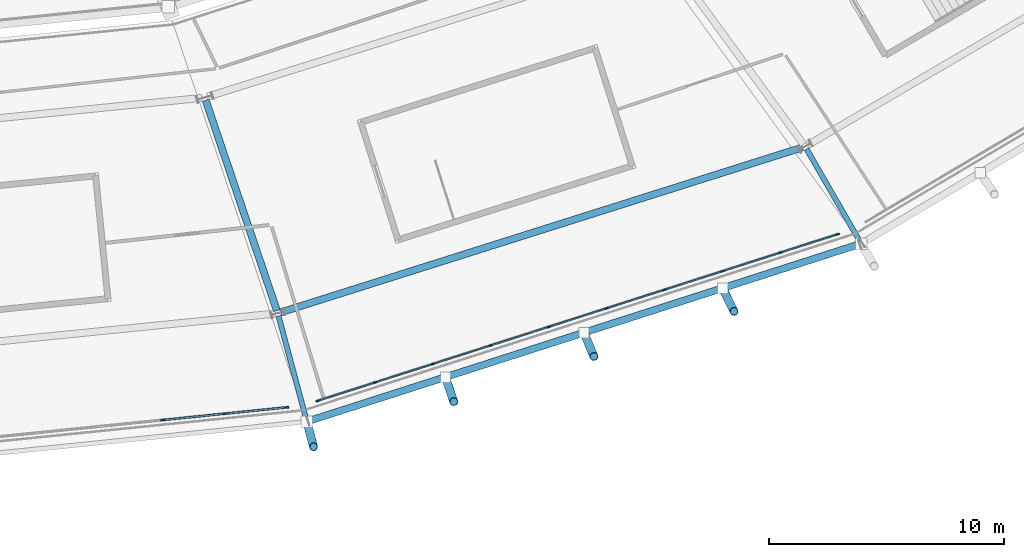
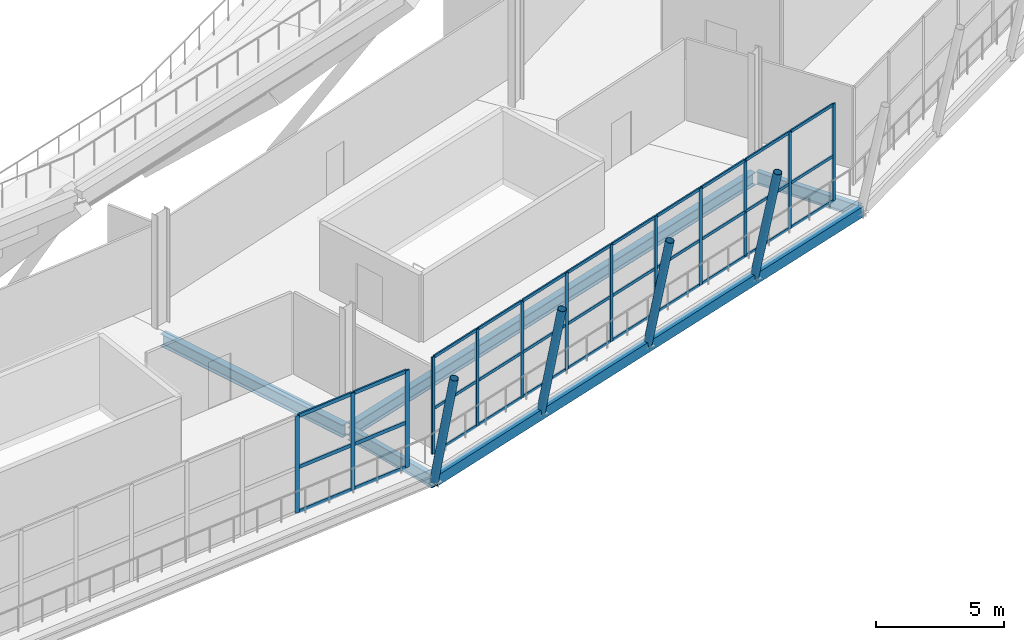
# One storey, part 35 of 126: 50 members, 5 beams, 2 elements without a shape of their own.
"""IFC4 building model written with IfcOpenShell, lengths in metres."""

from ifc_helpers import new_model, si_unit, direction, frame, origin, origin_2d, place, context, subcontext, project, spatial, rectangle, hollow_rectangle, hollow_circle, i_section, extrude, material, material_profile, profile_set, type_object, element, aggregate, save


model = new_model("IFC4")

# Units and contexts
model_context = context("Model", 3, precision=1e-05, world=origin(), true_north=direction((0.0, 1.0)))
body_context = subcontext(model_context, "Body", "Model", "MODEL_VIEW")
ifc_project = project(units=[si_unit("LENGTHUNIT", "METRE"), si_unit("AREAUNIT", "SQUARE_METRE"), si_unit("VOLUMEUNIT", "CUBIC_METRE"), si_unit("PLANEANGLEUNIT", "RADIAN"), si_unit("MASSUNIT", "GRAM", prefix="KILO")], contexts=[model_context])

# Site, building, storey
site_placement = place(None, origin())
site = spatial("IfcSite", under=ifc_project, at=site_placement, CompositionType="ELEMENT")
building_placement = place(site_placement, origin())
building = spatial("IfcBuilding", under=site, at=building_placement, Name="Zlatoyarsky Gate Stadium", CompositionType="ELEMENT")
storey_placement = place(building_placement, frame((0.0, 0.0, 20.800048828125)))
storey = spatial("IfcBuildingStorey", under=building, at=storey_placement, Name="L04", CompositionType="ELEMENT", Elevation=20.800048828125)

# Curtain wall, members
ifc_material_1 = material(Name="Thermally broken anodised aluminium curtain wall", Category="aluminium")
curtain_wall_type_1 = type_object("IfcCurtainWallType", Name="MONUMENTAL ARCHED GATE GLAZING LOWER", PredefinedType="USERDEFINED", material=ifc_material_1)
curtain_wall_1_placement = place(storey_placement, origin())
curtain_wall_1 = element("IfcCurtainWall", 1, at=curtain_wall_1_placement, inside=storey, type_object=curtain_wall_type_1, Name="Curtain wall CW-L04-18", ObjectType="ARCHED GATE GLAZING", PredefinedType="USERDEFINED")
ifc_material_2 = material(Name="Anodised aluminium 6063-T6", Category="aluminium")
ifc_material_profile_1 = material_profile(ifc_material_2, rectangle(XDim=0.074951171875, YDim=0.18994140625, at=origin_2d()), Name="ALU 75X190")
ifc_profile_set_1 = profile_set([ifc_material_profile_1], Name="Anodised aluminium 6063-T6")
member_type_1 = type_object("IfcMemberType", Name="ALUMINIUM GATE MULLION 75X190", PredefinedType="MULLION", material=ifc_profile_set_1)
member_1_placement = place(storey_placement, frame((130.18115234375, 6.88330078125, 0.0), z_axis=(0.0, 0.0, 1.0), x_axis=(-0.10129293102, 0.994856644007, 0.0)))
member_1 = element("IfcMember", 2, at=member_1_placement, type_object=member_type_1, Name="CW-AG1 mullion 8", PredefinedType="MULLION", context=body_context, shape_type="SweptSolid", body=[
    extrude(rectangle(XDim=0.074951171875, YDim=0.18994140625, at=origin_2d()), origin(), (0.0, 0.0, 1.0), 4.619873046875),
])
member_2_placement = place(storey_placement, frame((132.8291015625, 7.15283203125, 0.0), z_axis=(0.0, 0.0, 1.0), x_axis=(-0.10129293102, 0.994856644007, 0.0)))
member_2 = element("IfcMember", 3, at=member_2_placement, type_object=member_type_1, Name="CW-AG1 mullion 9", PredefinedType="MULLION", context=body_context, shape_type="SweptSolid", body=[
    extrude(rectangle(XDim=0.074951171875, YDim=0.18994140625, at=origin_2d()), origin(), (0.0, 0.0, 1.0), 4.619873046875),
])
member_3_placement = place(storey_placement, frame((135.439453125, 7.418701171875, 0.0), z_axis=(0.0, 0.0, 1.0), x_axis=(-0.10129293102, 0.994856644007, 0.0)))
member_3 = element("IfcMember", 4, at=member_3_placement, type_object=member_type_1, Name="CW-AG1 mullion 10", PredefinedType="MULLION", context=body_context, shape_type="SweptSolid", body=[
    extrude(rectangle(XDim=0.074951171875, YDim=0.18994140625, at=origin_2d()), origin(), (0.0, 0.0, 1.0), 4.619873046875),
])
ifc_material_profile_2 = material_profile(ifc_material_2, rectangle(XDim=0.074951171875, YDim=0.169921875, at=origin_2d()), Name="ALU 75X170")
ifc_profile_set_2 = profile_set([ifc_material_profile_2], Name="Anodised aluminium 6063-T6")
member_type_2 = type_object("IfcMemberType", Name="ALUMINIUM GATE TRANSOM 75X170", PredefinedType="USERDEFINED", material=ifc_profile_set_2)
member_4_placement = place(storey_placement, frame((130.218505859375, 6.88720703125, 0.037353515625), z_axis=(0.994858042808, 0.101279191644, 0.0), x_axis=(-0.101279191644, 0.994858042808, 0.0)))
member_4 = element("IfcMember", 5, at=member_4_placement, type_object=member_type_2, Name="CW-AG1 transom 8.1", ObjectType="TRANSOM", PredefinedType="USERDEFINED", context=body_context, shape_type="SweptSolid", body=[
    extrude(rectangle(XDim=0.074951171875, YDim=0.169921875, at=origin_2d()), origin(), (0.0, 0.0, 1.0), 2.58642578125),
])
member_5_placement = place(storey_placement, frame((130.218505859375, 6.88720703125, 2.14990234375), z_axis=(0.994858042808, 0.101279191644, 0.0), x_axis=(-0.101279191644, 0.994858042808, 0.0)))
member_5 = element("IfcMember", 6, at=member_5_placement, type_object=member_type_2, Name="CW-AG1 transom 8.2", ObjectType="TRANSOM", PredefinedType="USERDEFINED", context=body_context, shape_type="SweptSolid", body=[
    extrude(rectangle(XDim=0.074951171875, YDim=0.169921875, at=origin_2d()), origin(), (0.0, 0.0, 1.0), 2.58642578125),
])
member_6_placement = place(storey_placement, frame((130.218505859375, 6.88720703125, 4.58251953125), z_axis=(0.994858042808, 0.101279191644, 0.0), x_axis=(-0.101279191644, 0.994858042808, 0.0)))
member_6 = element("IfcMember", 7, at=member_6_placement, type_object=member_type_2, Name="CW-AG1 transom 8.3", ObjectType="TRANSOM", PredefinedType="USERDEFINED", context=body_context, shape_type="SweptSolid", body=[
    extrude(rectangle(XDim=0.074951171875, YDim=0.169921875, at=origin_2d()), origin(), (0.0, 0.0, 1.0), 2.58642578125),
])
member_7_placement = place(storey_placement, frame((132.8662109375, 7.15673828125, 0.037353515625), z_axis=(0.994862135716, 0.101238979248, 0.0), x_axis=(-0.101238979248, 0.994862135716, 0.0)))
member_7 = element("IfcMember", 8, at=member_7_placement, type_object=member_type_2, Name="CW-AG1 transom 9.1", ObjectType="TRANSOM", PredefinedType="USERDEFINED", context=body_context, shape_type="SweptSolid", body=[
    extrude(rectangle(XDim=0.074951171875, YDim=0.169921875, at=origin_2d()), origin(), (0.0, 0.0, 1.0), 2.549072265625),
])
member_8_placement = place(storey_placement, frame((132.8662109375, 7.15673828125, 2.14990234375), z_axis=(0.994862135716, 0.101238979248, 0.0), x_axis=(-0.101238979248, 0.994862135716, 0.0)))
member_8 = element("IfcMember", 9, at=member_8_placement, type_object=member_type_2, Name="CW-AG1 transom 9.2", ObjectType="TRANSOM", PredefinedType="USERDEFINED", context=body_context, shape_type="SweptSolid", body=[
    extrude(rectangle(XDim=0.074951171875, YDim=0.169921875, at=origin_2d()), origin(), (0.0, 0.0, 1.0), 2.549072265625),
])
member_9_placement = place(storey_placement, frame((132.8662109375, 7.15673828125, 4.58251953125), z_axis=(0.994862135716, 0.101238979248, 0.0), x_axis=(-0.101238979248, 0.994862135716, 0.0)))
member_9 = element("IfcMember", 10, at=member_9_placement, type_object=member_type_2, Name="CW-AG1 transom 9.3", ObjectType="TRANSOM", PredefinedType="USERDEFINED", context=body_context, shape_type="SweptSolid", body=[
    extrude(rectangle(XDim=0.074951171875, YDim=0.169921875, at=origin_2d()), origin(), (0.0, 0.0, 1.0), 2.549072265625),
])
aggregate(curtain_wall_1, [member_1, member_2, member_3, member_4, member_5, member_6, member_7, member_8, member_9])

curtain_wall_type_2 = type_object("IfcCurtainWallType", Name="UNITISED MEDIA RING GLAZING L04", PredefinedType="USERDEFINED", material=ifc_material_1)
curtain_wall_2_placement = place(storey_placement, origin())
curtain_wall_2 = element("IfcCurtainWall", 11, at=curtain_wall_2_placement, inside=storey, type_object=curtain_wall_type_2, Name="Curtain wall CW-L04-19", ObjectType="UNITISED GLAZING", PredefinedType="USERDEFINED")
ifc_material_profile_3 = material_profile(ifc_material_2, rectangle(XDim=0.06494140625, YDim=0.159912109375, at=origin_2d()), Name="ALU 65X160")
ifc_profile_set_3 = profile_set([ifc_material_profile_3], Name="Anodised aluminium 6063-T6")
member_type_3 = type_object("IfcMemberType", Name="ALUMINIUM MULLION 65X160", PredefinedType="MULLION", material=ifc_profile_set_3)
member_10_placement = place(storey_placement, frame((136.7734375, 7.696533203125, 0.0), z_axis=(0.0, 0.0, 1.0), x_axis=(-0.305065730928, 0.952331297298, 0.0)))
member_10 = element("IfcMember", 12, at=member_10_placement, type_object=member_type_3, Name="CW-UG4 mullion 1", PredefinedType="MULLION", context=body_context, shape_type="SweptSolid", body=[
    extrude(rectangle(XDim=0.06494140625, YDim=0.159912109375, at=origin_2d()), origin(), (0.0, 0.0, 1.0), 4.619873046875),
])
member_11_placement = place(storey_placement, frame((139.206298828125, 8.475830078125, 0.0), z_axis=(0.0, 0.0, 1.0), x_axis=(-0.305065730928, 0.952331297298, 0.0)))
member_11 = element("IfcMember", 13, at=member_11_placement, type_object=member_type_3, Name="CW-UG4 mullion 2", PredefinedType="MULLION", context=body_context, shape_type="SweptSolid", body=[
    extrude(rectangle(XDim=0.06494140625, YDim=0.159912109375, at=origin_2d()), origin(), (0.0, 0.0, 1.0), 4.619873046875),
])
member_12_placement = place(storey_placement, frame((141.669921875, 9.26513671875, 0.0), z_axis=(0.0, 0.0, 1.0), x_axis=(-0.305065730928, 0.952331297298, 0.0)))
member_12 = element("IfcMember", 14, at=member_12_placement, type_object=member_type_3, Name="CW-UG4 mullion 3", PredefinedType="MULLION", context=body_context, shape_type="SweptSolid", body=[
    extrude(rectangle(XDim=0.06494140625, YDim=0.159912109375, at=origin_2d()), origin(), (0.0, 0.0, 1.0), 4.619873046875),
])
member_13_placement = place(storey_placement, frame((144.133544921875, 10.05419921875, 0.0), z_axis=(0.0, 0.0, 1.0), x_axis=(-0.305065730928, 0.952331297298, 0.0)))
member_13 = element("IfcMember", 15, at=member_13_placement, type_object=member_type_3, Name="CW-UG4 mullion 4", PredefinedType="MULLION", context=body_context, shape_type="SweptSolid", body=[
    extrude(rectangle(XDim=0.06494140625, YDim=0.159912109375, at=origin_2d()), origin(), (0.0, 0.0, 1.0), 4.619873046875),
])
member_14_placement = place(storey_placement, frame((146.597412109375, 10.843505859375, 0.0), z_axis=(0.0, 0.0, 1.0), x_axis=(-0.305065730928, 0.952331297298, 0.0)))
member_14 = element("IfcMember", 16, at=member_14_placement, type_object=member_type_3, Name="CW-UG4 mullion 5", PredefinedType="MULLION", context=body_context, shape_type="SweptSolid", body=[
    extrude(rectangle(XDim=0.06494140625, YDim=0.159912109375, at=origin_2d()), origin(), (0.0, 0.0, 1.0), 4.619873046875),
])
member_15_placement = place(storey_placement, frame((149.06103515625, 11.632568359375, 0.0), z_axis=(0.0, 0.0, 1.0), x_axis=(-0.305065730928, 0.952331297298, 0.0)))
member_15 = element("IfcMember", 17, at=member_15_placement, type_object=member_type_3, Name="CW-UG4 mullion 6", PredefinedType="MULLION", context=body_context, shape_type="SweptSolid", body=[
    extrude(rectangle(XDim=0.06494140625, YDim=0.159912109375, at=origin_2d()), origin(), (0.0, 0.0, 1.0), 4.619873046875),
])
member_16_placement = place(storey_placement, frame((151.524658203125, 12.421875, 0.0), z_axis=(0.0, 0.0, 1.0), x_axis=(-0.305065730928, 0.952331297298, 0.0)))
member_16 = element("IfcMember", 18, at=member_16_placement, type_object=member_type_3, Name="CW-UG4 mullion 7", PredefinedType="MULLION", context=body_context, shape_type="SweptSolid", body=[
    extrude(rectangle(XDim=0.06494140625, YDim=0.159912109375, at=origin_2d()), origin(), (0.0, 0.0, 1.0), 4.619873046875),
])
member_17_placement = place(storey_placement, frame((153.98828125, 13.211181640625, 0.0), z_axis=(0.0, 0.0, 1.0), x_axis=(-0.305065730928, 0.952331297298, 0.0)))
member_17 = element("IfcMember", 19, at=member_17_placement, type_object=member_type_3, Name="CW-UG4 mullion 8", PredefinedType="MULLION", context=body_context, shape_type="SweptSolid", body=[
    extrude(rectangle(XDim=0.06494140625, YDim=0.159912109375, at=origin_2d()), origin(), (0.0, 0.0, 1.0), 4.619873046875),
])
member_18_placement = place(storey_placement, frame((156.4521484375, 14.000244140625, 0.0), z_axis=(0.0, 0.0, 1.0), x_axis=(-0.305065730928, 0.952331297298, 0.0)))
member_18 = element("IfcMember", 20, at=member_18_placement, type_object=member_type_3, Name="CW-UG4 mullion 9", PredefinedType="MULLION", context=body_context, shape_type="SweptSolid", body=[
    extrude(rectangle(XDim=0.06494140625, YDim=0.159912109375, at=origin_2d()), origin(), (0.0, 0.0, 1.0), 4.619873046875),
])
member_19_placement = place(storey_placement, frame((158.884765625, 14.779541015625, 0.0), z_axis=(0.0, 0.0, 1.0), x_axis=(-0.305065730928, 0.952331297298, 0.0)))
member_19 = element("IfcMember", 21, at=member_19_placement, type_object=member_type_3, Name="CW-UG4 mullion 10", PredefinedType="MULLION", context=body_context, shape_type="SweptSolid", body=[
    extrude(rectangle(XDim=0.06494140625, YDim=0.159912109375, at=origin_2d()), origin(), (0.0, 0.0, 1.0), 4.619873046875),
])
ifc_material_profile_4 = material_profile(ifc_material_2, rectangle(XDim=0.06494140625, YDim=0.139892578125, at=origin_2d()), Name="ALU 65X140")
ifc_profile_set_4 = profile_set([ifc_material_profile_4], Name="Anodised aluminium 6063-T6")
member_type_4 = type_object("IfcMemberType", Name="ALUMINIUM TRANSOM 65X140", PredefinedType="USERDEFINED", material=ifc_profile_set_4)
member_20_placement = place(storey_placement, frame((136.804443359375, 7.70654296875, 0.032470703125), z_axis=(0.952353522949, 0.304996339859, 0.0), x_axis=(-0.304996339859, 0.952353522949, 0.0)))
member_20 = element("IfcMember", 22, at=member_20_placement, type_object=member_type_4, Name="CW-UG4 transom 1.1", ObjectType="TRANSOM", PredefinedType="USERDEFINED", context=body_context, shape_type="SweptSolid", body=[
    extrude(rectangle(XDim=0.06494140625, YDim=0.139892578125, at=origin_2d()), origin(), (0.0, 0.0, 1.0), 2.489501953125),
])
member_21_placement = place(storey_placement, frame((136.804443359375, 7.70654296875, 2.14990234375), z_axis=(0.952353522949, 0.304996339859, 0.0), x_axis=(-0.304996339859, 0.952353522949, 0.0)))
member_21 = element("IfcMember", 23, at=member_21_placement, type_object=member_type_4, Name="CW-UG4 transom 1.2", ObjectType="TRANSOM", PredefinedType="USERDEFINED", context=body_context, shape_type="SweptSolid", body=[
    extrude(rectangle(XDim=0.06494140625, YDim=0.139892578125, at=origin_2d()), origin(), (0.0, 0.0, 1.0), 2.489501953125),
])
member_22_placement = place(storey_placement, frame((136.804443359375, 7.70654296875, 4.58740234375), z_axis=(0.952353522949, 0.304996339859, 0.0), x_axis=(-0.304996339859, 0.952353522949, 0.0)))
member_22 = element("IfcMember", 24, at=member_22_placement, type_object=member_type_4, Name="CW-UG4 transom 1.3", ObjectType="TRANSOM", PredefinedType="USERDEFINED", context=body_context, shape_type="SweptSolid", body=[
    extrude(rectangle(XDim=0.06494140625, YDim=0.139892578125, at=origin_2d()), origin(), (0.0, 0.0, 1.0), 2.489501953125),
])
member_23_placement = place(storey_placement, frame((139.237060546875, 8.48583984375, 0.032470703125), z_axis=(0.952344312089, 0.305025099349, 0.0), x_axis=(-0.305025099349, 0.952344312089, 0.0)))
member_23 = element("IfcMember", 25, at=member_23_placement, type_object=member_type_4, Name="CW-UG4 transom 2.1", ObjectType="TRANSOM", PredefinedType="USERDEFINED", context=body_context, shape_type="SweptSolid", body=[
    extrude(rectangle(XDim=0.06494140625, YDim=0.139892578125, at=origin_2d()), origin(), (0.0, 0.0, 1.0), 2.52197265625),
])
member_24_placement = place(storey_placement, frame((139.237060546875, 8.48583984375, 2.14990234375), z_axis=(0.952344312089, 0.305025099349, 0.0), x_axis=(-0.305025099349, 0.952344312089, 0.0)))
member_24 = element("IfcMember", 26, at=member_24_placement, type_object=member_type_4, Name="CW-UG4 transom 2.2", ObjectType="TRANSOM", PredefinedType="USERDEFINED", context=body_context, shape_type="SweptSolid", body=[
    extrude(rectangle(XDim=0.06494140625, YDim=0.139892578125, at=origin_2d()), origin(), (0.0, 0.0, 1.0), 2.52197265625),
])
member_25_placement = place(storey_placement, frame((139.237060546875, 8.48583984375, 4.58740234375), z_axis=(0.952344312089, 0.305025099349, 0.0), x_axis=(-0.305025099349, 0.952344312089, 0.0)))
member_25 = element("IfcMember", 27, at=member_25_placement, type_object=member_type_4, Name="CW-UG4 transom 2.3", ObjectType="TRANSOM", PredefinedType="USERDEFINED", context=body_context, shape_type="SweptSolid", body=[
    extrude(rectangle(XDim=0.06494140625, YDim=0.139892578125, at=origin_2d()), origin(), (0.0, 0.0, 1.0), 2.52197265625),
])
member_26_placement = place(storey_placement, frame((141.700927734375, 9.27490234375, 0.032470703125), z_axis=(0.952307176067, 0.305141020531, 0.0), x_axis=(-0.305141020531, 0.952307176067, 0.0)))
member_26 = element("IfcMember", 28, at=member_26_placement, type_object=member_type_4, Name="CW-UG4 transom 3.1", ObjectType="TRANSOM", PredefinedType="USERDEFINED", context=body_context, shape_type="SweptSolid", body=[
    extrude(rectangle(XDim=0.06494140625, YDim=0.139892578125, at=origin_2d()), origin(), (0.0, 0.0, 1.0), 2.52197265625),
])
member_27_placement = place(storey_placement, frame((141.700927734375, 9.27490234375, 2.14990234375), z_axis=(0.952307176067, 0.305141020531, 0.0), x_axis=(-0.305141020531, 0.952307176067, 0.0)))
member_27 = element("IfcMember", 29, at=member_27_placement, type_object=member_type_4, Name="CW-UG4 transom 3.2", ObjectType="TRANSOM", PredefinedType="USERDEFINED", context=body_context, shape_type="SweptSolid", body=[
    extrude(rectangle(XDim=0.06494140625, YDim=0.139892578125, at=origin_2d()), origin(), (0.0, 0.0, 1.0), 2.52197265625),
])
member_28_placement = place(storey_placement, frame((141.700927734375, 9.27490234375, 4.58740234375), z_axis=(0.952307176067, 0.305141020531, 0.0), x_axis=(-0.305141020531, 0.952307176067, 0.0)))
member_28 = element("IfcMember", 30, at=member_28_placement, type_object=member_type_4, Name="CW-UG4 transom 3.3", ObjectType="TRANSOM", PredefinedType="USERDEFINED", context=body_context, shape_type="SweptSolid", body=[
    extrude(rectangle(XDim=0.06494140625, YDim=0.139892578125, at=origin_2d()), origin(), (0.0, 0.0, 1.0), 2.52197265625),
])
member_29_placement = place(storey_placement, frame((144.16455078125, 10.064208984375, 0.032470703125), z_axis=(0.952344312089, 0.305025099349, 0.0), x_axis=(-0.305025099349, 0.952344312089, 0.0)))
member_29 = element("IfcMember", 31, at=member_29_placement, type_object=member_type_4, Name="CW-UG4 transom 4.1", ObjectType="TRANSOM", PredefinedType="USERDEFINED", context=body_context, shape_type="SweptSolid", body=[
    extrude(rectangle(XDim=0.06494140625, YDim=0.139892578125, at=origin_2d()), origin(), (0.0, 0.0, 1.0), 2.52197265625),
])
member_30_placement = place(storey_placement, frame((144.16455078125, 10.064208984375, 2.14990234375), z_axis=(0.952344312089, 0.305025099349, 0.0), x_axis=(-0.305025099349, 0.952344312089, 0.0)))
member_30 = element("IfcMember", 32, at=member_30_placement, type_object=member_type_4, Name="CW-UG4 transom 4.2", ObjectType="TRANSOM", PredefinedType="USERDEFINED", context=body_context, shape_type="SweptSolid", body=[
    extrude(rectangle(XDim=0.06494140625, YDim=0.139892578125, at=origin_2d()), origin(), (0.0, 0.0, 1.0), 2.52197265625),
])
member_31_placement = place(storey_placement, frame((144.16455078125, 10.064208984375, 4.58740234375), z_axis=(0.952344312089, 0.305025099349, 0.0), x_axis=(-0.305025099349, 0.952344312089, 0.0)))
member_31 = element("IfcMember", 33, at=member_31_placement, type_object=member_type_4, Name="CW-UG4 transom 4.3", ObjectType="TRANSOM", PredefinedType="USERDEFINED", context=body_context, shape_type="SweptSolid", body=[
    extrude(rectangle(XDim=0.06494140625, YDim=0.139892578125, at=origin_2d()), origin(), (0.0, 0.0, 1.0), 2.52197265625),
])
member_32_placement = place(storey_placement, frame((146.628173828125, 10.853271484375, 0.032470703125), z_axis=(0.95231618878, 0.305112891546, 0.0), x_axis=(-0.305112891546, 0.95231618878, 0.0)))
member_32 = element("IfcMember", 34, at=member_32_placement, type_object=member_type_4, Name="CW-UG4 transom 5.1", ObjectType="TRANSOM", PredefinedType="USERDEFINED", context=body_context, shape_type="SweptSolid", body=[
    extrude(rectangle(XDim=0.06494140625, YDim=0.139892578125, at=origin_2d()), origin(), (0.0, 0.0, 1.0), 2.522216796875),
])
member_33_placement = place(storey_placement, frame((146.628173828125, 10.853271484375, 2.14990234375), z_axis=(0.95231618878, 0.305112891546, 0.0), x_axis=(-0.305112891546, 0.95231618878, 0.0)))
member_33 = element("IfcMember", 35, at=member_33_placement, type_object=member_type_4, Name="CW-UG4 transom 5.2", ObjectType="TRANSOM", PredefinedType="USERDEFINED", context=body_context, shape_type="SweptSolid", body=[
    extrude(rectangle(XDim=0.06494140625, YDim=0.139892578125, at=origin_2d()), origin(), (0.0, 0.0, 1.0), 2.522216796875),
])
member_34_placement = place(storey_placement, frame((146.628173828125, 10.853271484375, 4.58740234375), z_axis=(0.95231618878, 0.305112891546, 0.0), x_axis=(-0.305112891546, 0.95231618878, 0.0)))
member_34 = element("IfcMember", 36, at=member_34_placement, type_object=member_type_4, Name="CW-UG4 transom 5.3", ObjectType="TRANSOM", PredefinedType="USERDEFINED", context=body_context, shape_type="SweptSolid", body=[
    extrude(rectangle(XDim=0.06494140625, YDim=0.139892578125, at=origin_2d()), origin(), (0.0, 0.0, 1.0), 2.522216796875),
])
member_35_placement = place(storey_placement, frame((149.092041015625, 11.642578125, 0.032470703125), z_axis=(0.952335304296, 0.305053221901, 0.0), x_axis=(-0.305053221901, 0.952335304296, 0.0)))
member_35 = element("IfcMember", 37, at=member_35_placement, type_object=member_type_4, Name="CW-UG4 transom 6.1", ObjectType="TRANSOM", PredefinedType="USERDEFINED", context=body_context, shape_type="SweptSolid", body=[
    extrude(rectangle(XDim=0.06494140625, YDim=0.139892578125, at=origin_2d()), origin(), (0.0, 0.0, 1.0), 2.521728515625),
])
member_36_placement = place(storey_placement, frame((149.092041015625, 11.642578125, 2.14990234375), z_axis=(0.952335304296, 0.305053221901, 0.0), x_axis=(-0.305053221901, 0.952335304296, 0.0)))
member_36 = element("IfcMember", 38, at=member_36_placement, type_object=member_type_4, Name="CW-UG4 transom 6.2", ObjectType="TRANSOM", PredefinedType="USERDEFINED", context=body_context, shape_type="SweptSolid", body=[
    extrude(rectangle(XDim=0.06494140625, YDim=0.139892578125, at=origin_2d()), origin(), (0.0, 0.0, 1.0), 2.521728515625),
])
member_37_placement = place(storey_placement, frame((149.092041015625, 11.642578125, 4.58740234375), z_axis=(0.952335304296, 0.305053221901, 0.0), x_axis=(-0.305053221901, 0.952335304296, 0.0)))
member_37 = element("IfcMember", 39, at=member_37_placement, type_object=member_type_4, Name="CW-UG4 transom 6.3", ObjectType="TRANSOM", PredefinedType="USERDEFINED", context=body_context, shape_type="SweptSolid", body=[
    extrude(rectangle(XDim=0.06494140625, YDim=0.139892578125, at=origin_2d()), origin(), (0.0, 0.0, 1.0), 2.521728515625),
])
member_38_placement = place(storey_placement, frame((151.5556640625, 12.431884765625, 0.032470703125), z_axis=(0.952344312089, 0.305025099349, 0.0), x_axis=(-0.305025099349, 0.952344312089, 0.0)))
member_38 = element("IfcMember", 40, at=member_38_placement, type_object=member_type_4, Name="CW-UG4 transom 7.1", ObjectType="TRANSOM", PredefinedType="USERDEFINED", context=body_context, shape_type="SweptSolid", body=[
    extrude(rectangle(XDim=0.06494140625, YDim=0.139892578125, at=origin_2d()), origin(), (0.0, 0.0, 1.0), 2.52197265625),
])
member_39_placement = place(storey_placement, frame((151.5556640625, 12.431884765625, 2.14990234375), z_axis=(0.952344312089, 0.305025099349, 0.0), x_axis=(-0.305025099349, 0.952344312089, 0.0)))
member_39 = element("IfcMember", 41, at=member_39_placement, type_object=member_type_4, Name="CW-UG4 transom 7.2", ObjectType="TRANSOM", PredefinedType="USERDEFINED", context=body_context, shape_type="SweptSolid", body=[
    extrude(rectangle(XDim=0.06494140625, YDim=0.139892578125, at=origin_2d()), origin(), (0.0, 0.0, 1.0), 2.52197265625),
])
member_40_placement = place(storey_placement, frame((151.5556640625, 12.431884765625, 4.58740234375), z_axis=(0.952344312089, 0.305025099349, 0.0), x_axis=(-0.305025099349, 0.952344312089, 0.0)))
member_40 = element("IfcMember", 42, at=member_40_placement, type_object=member_type_4, Name="CW-UG4 transom 7.3", ObjectType="TRANSOM", PredefinedType="USERDEFINED", context=body_context, shape_type="SweptSolid", body=[
    extrude(rectangle(XDim=0.06494140625, YDim=0.139892578125, at=origin_2d()), origin(), (0.0, 0.0, 1.0), 2.52197265625),
])
member_41_placement = place(storey_placement, frame((154.019287109375, 13.220947265625, 0.032470703125), z_axis=(0.95231618878, 0.305112891546, 0.0), x_axis=(-0.305112891546, 0.95231618878, 0.0)))
member_41 = element("IfcMember", 43, at=member_41_placement, type_object=member_type_4, Name="CW-UG4 transom 8.1", ObjectType="TRANSOM", PredefinedType="USERDEFINED", context=body_context, shape_type="SweptSolid", body=[
    extrude(rectangle(XDim=0.06494140625, YDim=0.139892578125, at=origin_2d()), origin(), (0.0, 0.0, 1.0), 2.522216796875),
])
member_42_placement = place(storey_placement, frame((154.019287109375, 13.220947265625, 2.14990234375), z_axis=(0.95231618878, 0.305112891546, 0.0), x_axis=(-0.305112891546, 0.95231618878, 0.0)))
member_42 = element("IfcMember", 44, at=member_42_placement, type_object=member_type_4, Name="CW-UG4 transom 8.2", ObjectType="TRANSOM", PredefinedType="USERDEFINED", context=body_context, shape_type="SweptSolid", body=[
    extrude(rectangle(XDim=0.06494140625, YDim=0.139892578125, at=origin_2d()), origin(), (0.0, 0.0, 1.0), 2.522216796875),
])
member_43_placement = place(storey_placement, frame((154.019287109375, 13.220947265625, 4.58740234375), z_axis=(0.95231618878, 0.305112891546, 0.0), x_axis=(-0.305112891546, 0.95231618878, 0.0)))
member_43 = element("IfcMember", 45, at=member_43_placement, type_object=member_type_4, Name="CW-UG4 transom 8.3", ObjectType="TRANSOM", PredefinedType="USERDEFINED", context=body_context, shape_type="SweptSolid", body=[
    extrude(rectangle(XDim=0.06494140625, YDim=0.139892578125, at=origin_2d()), origin(), (0.0, 0.0, 1.0), 2.522216796875),
])
member_44_placement = place(storey_placement, frame((156.483154296875, 14.01025390625, 0.032470703125), z_axis=(0.952325033937, 0.305085282729, 0.0), x_axis=(-0.305085282729, 0.952325033937, 0.0)))
member_44 = element("IfcMember", 46, at=member_44_placement, type_object=member_type_4, Name="CW-UG4 transom 9.1", ObjectType="TRANSOM", PredefinedType="USERDEFINED", context=body_context, shape_type="SweptSolid", body=[
    extrude(rectangle(XDim=0.06494140625, YDim=0.139892578125, at=origin_2d()), origin(), (0.0, 0.0, 1.0), 2.489501953125),
])
member_45_placement = place(storey_placement, frame((156.483154296875, 14.01025390625, 2.14990234375), z_axis=(0.952325033937, 0.305085282729, 0.0), x_axis=(-0.305085282729, 0.952325033937, 0.0)))
member_45 = element("IfcMember", 47, at=member_45_placement, type_object=member_type_4, Name="CW-UG4 transom 9.2", ObjectType="TRANSOM", PredefinedType="USERDEFINED", context=body_context, shape_type="SweptSolid", body=[
    extrude(rectangle(XDim=0.06494140625, YDim=0.139892578125, at=origin_2d()), origin(), (0.0, 0.0, 1.0), 2.489501953125),
])
member_46_placement = place(storey_placement, frame((156.483154296875, 14.01025390625, 4.58740234375), z_axis=(0.952325033937, 0.305085282729, 0.0), x_axis=(-0.305085282729, 0.952325033937, 0.0)))
member_46 = element("IfcMember", 48, at=member_46_placement, type_object=member_type_4, Name="CW-UG4 transom 9.3", ObjectType="TRANSOM", PredefinedType="USERDEFINED", context=body_context, shape_type="SweptSolid", body=[
    extrude(rectangle(XDim=0.06494140625, YDim=0.139892578125, at=origin_2d()), origin(), (0.0, 0.0, 1.0), 2.489501953125),
])
aggregate(curtain_wall_2, [member_10, member_11, member_12, member_13, member_14, member_15, member_16, member_17, member_18, member_19, member_20, member_21, member_22, member_23, member_24, member_25, member_26, member_27, member_28, member_29, member_30, member_31, member_32, member_33, member_34, member_35, member_36, member_37, member_38, member_39, member_40, member_41, member_42, member_43, member_44, member_45, member_46])

# Beams
ifc_material_3 = material(Name="Steel S355", Category="steel")
ifc_material_profile_5 = material_profile(ifc_material_3, i_section(OverallWidth=0.219970703125, OverallDepth=0.60009765625, WebThickness=0.011962890625, FlangeThickness=0.01904296875, FilletRadius=0.02392578125, at=origin_2d()), Name="IPE 600")
ifc_profile_set_5 = profile_set([ifc_material_profile_5], Name="Steel S355")
beam_type_1 = type_object("IfcBeamType", Name="STEEL CANTILEVER FLOOR BEAM IPE 600", PredefinedType="BEAM", material=ifc_profile_set_5)
beam_1_placement = place(storey_placement, frame((135.101318359375, 11.303466796875, -0.60009765625), z_axis=(0.258809573134, -0.965928364246, 0.0), x_axis=(0.965928364246, 0.258809573134, 0.0)))
element("IfcBeam", 49, at=beam_1_placement, inside=storey, type_object=beam_type_1, Name="Beam B-IPE600 BM-L04-OUT-19", PredefinedType="BEAM", context=body_context, shape_type="SweptSolid", body=[
    extrude(i_section(OverallWidth=0.219970703125, OverallDepth=0.60009765625, WebThickness=0.011962890625, FlangeThickness=0.01904296875, FilletRadius=0.02392578125, at=origin_2d()), origin(), (0.0, 0.0, 1.0), 4.649658203125),
])
beam_2_placement = place(storey_placement, frame((157.56005859375, 18.408203125, -0.60009765625), z_axis=(0.499990627519, -0.866030814921, 0.0), x_axis=(0.866030814921, 0.499990627519, 0.0)))
element("IfcBeam", 50, at=beam_2_placement, inside=storey, type_object=beam_type_1, Name="Beam B-IPE600 BM-L04-OUT-20", PredefinedType="BEAM", context=body_context, shape_type="SweptSolid", body=[
    extrude(i_section(OverallWidth=0.219970703125, OverallDepth=0.60009765625, WebThickness=0.011962890625, FlangeThickness=0.01904296875, FilletRadius=0.02392578125, at=origin_2d()), origin(), (0.0, 0.0, 1.0), 4.6494140625),
])

# Members
ifc_material_profile_6 = material_profile(ifc_material_3, hollow_circle(Radius=0.177734375, WallThickness=0.02001953125, at=origin_2d()), Name="CHS 355.6X20")
ifc_profile_set_6 = profile_set([ifc_material_profile_6], Name="Steel S355")
member_type_5 = type_object("IfcMemberType", Name="STEEL LEANING RIB RING STRUT CHS 355.6X20", PredefinedType="STRUT", material=ifc_profile_set_6)
member_47_placement = place(storey_placement, frame((136.3046875, 6.812255859375, -0.60009765625), z_axis=(0.05167118686, -0.192876447293, 0.979861604783), x_axis=(0.965938221939, 0.258772779475, 0.0)))
element("IfcMember", 51, at=member_47_placement, inside=storey, type_object=member_type_5, Name="Leaning ring strut 19 L04 to L05", PredefinedType="STRUT", context=body_context, shape_type="SweptSolid", body=[
    extrude(hollow_circle(Radius=0.177734375, WallThickness=0.02001953125, at=origin_2d()), origin(), (0.0, 0.0, 1.0), 5.5517578125),
])
member_48_placement = place(storey_placement, frame((142.19970703125, 8.70458984375, -0.550048828125), z_axis=(0.06373698872, -0.187911950182, 0.980115654016), x_axis=(0.947007602711, 0.321211146144, 0.0)))
element("IfcMember", 52, at=member_48_placement, inside=storey, type_object=member_type_5, Name="Outward-leaning bowl louvre fin rib L04 19-1", PredefinedType="STRUT", context=body_context, shape_type="SweptSolid", body=[
    extrude(hollow_circle(Radius=0.177734375, WallThickness=0.02001953125, at=origin_2d()), origin(), (0.0, 0.0, 1.0), 5.55029296875),
])
member_49_placement = place(storey_placement, frame((148.0947265625, 10.596923828125, -0.550048828125), z_axis=(0.07579552226, -0.182956225814, 0.980194908292), x_axis=(0.923857085689, 0.382737619294, 0.0)))
element("IfcMember", 53, at=member_49_placement, inside=storey, type_object=member_type_5, Name="Outward-leaning bowl louvre fin rib L04 19-2", PredefinedType="STRUT", context=body_context, shape_type="SweptSolid", body=[
    extrude(hollow_circle(Radius=0.177734375, WallThickness=0.02001953125, at=origin_2d()), origin(), (0.0, 0.0, 1.0), 5.5498046875),
])
member_50_placement = place(storey_placement, frame((153.98974609375, 12.4892578125, -0.550048828125), z_axis=(0.087841760653, -0.177926851198, 0.980115228281), x_axis=(0.896676847693, 0.442685702063, 0.0)))
element("IfcMember", 54, at=member_50_placement, inside=storey, type_object=member_type_5, Name="Outward-leaning bowl louvre fin rib L04 19-3", PredefinedType="STRUT", context=body_context, shape_type="SweptSolid", body=[
    extrude(hollow_circle(Radius=0.177734375, WallThickness=0.02001953125, at=origin_2d()), origin(), (0.0, 0.0, 1.0), 5.55029296875),
])

# Beams
ifc_material_profile_7 = material_profile(ifc_material_3, hollow_rectangle(XDim=0.300048828125, YDim=0.5, WallThickness=0.02001953125, at=origin_2d()), Name="RHS 500X300X20")
ifc_profile_set_7 = profile_set([ifc_material_profile_7], Name="Steel S355")
beam_type_2 = type_object("IfcBeamType", Name="STEEL LOUVRE CARRIER SPANDREL RHS 500X300X20", PredefinedType="SPANDREL", material=ifc_profile_set_7)
beam_3_placement = place(storey_placement, frame((136.323486328125, 6.818359375, -0.550048828125), z_axis=(0.952146534083, 0.305641910794, 0.0), x_axis=(-0.305641910794, 0.952146534083, 0.0)))
element("IfcBeam", 55, at=beam_3_placement, inside=storey, type_object=beam_type_2, Name="Beam SP-RHS500 BM-L04-SPD-19", PredefinedType="SPANDREL", context=body_context, shape_type="SweptSolid", body=[
    extrude(hollow_rectangle(XDim=0.300048828125, YDim=0.5, WallThickness=0.02001953125, at=origin_2d()), origin(), (0.0, 0.0, 1.0), 24.725341796875),
])
ifc_material_profile_8 = material_profile(ifc_material_3, i_section(OverallWidth=0.300048828125, OverallDepth=0.60009765625, WebThickness=0.015380859375, FlangeThickness=0.030029296875, FilletRadius=0.027099609375, at=origin_2d()), Name="HEB 600")
ifc_profile_set_8 = profile_set([ifc_material_profile_8], Name="Steel S355")
beam_type_3 = type_object("IfcBeamType", Name="STEEL PRIMARY GIRDER HEB 600", PredefinedType="BEAM", material=ifc_profile_set_8)
beam_4_placement = place(storey_placement, frame((132.002685546875, 20.48193359375, -0.60009765625), z_axis=(0.320612225581, -0.947210536686, 0.0), x_axis=(0.947210536686, 0.320612225581, 0.0)))
element("IfcBeam", 56, at=beam_4_placement, inside=storey, type_object=beam_type_3, Name="Beam G-HEB600 BM-L04-RBC-19", PredefinedType="BEAM", context=body_context, shape_type="SweptSolid", body=[
    extrude(i_section(OverallWidth=0.300048828125, OverallDepth=0.60009765625, WebThickness=0.015380859375, FlangeThickness=0.030029296875, FilletRadius=0.027099609375, at=origin_2d()), origin(), (0.0, 0.0, 1.0), 9.44775390625),
])
beam_5_placement = place(storey_placement, frame((135.1845703125, 11.45556640625, -0.60009765625), z_axis=(0.953463107403, 0.301509706015, 0.0), x_axis=(-0.301509706015, 0.953463107403, 0.0)))
element("IfcBeam", 57, at=beam_5_placement, inside=storey, type_object=beam_type_3, Name="Beam G-HEB600 BM-L04-CRC-19", PredefinedType="BEAM", context=body_context, shape_type="SweptSolid", body=[
    extrude(i_section(OverallWidth=0.300048828125, OverallDepth=0.60009765625, WebThickness=0.015380859375, FlangeThickness=0.030029296875, FilletRadius=0.027099609375, at=origin_2d()), origin(), (0.0, 0.0, 1.0), 23.284423828125),
])

save(model, "model.ifc")
